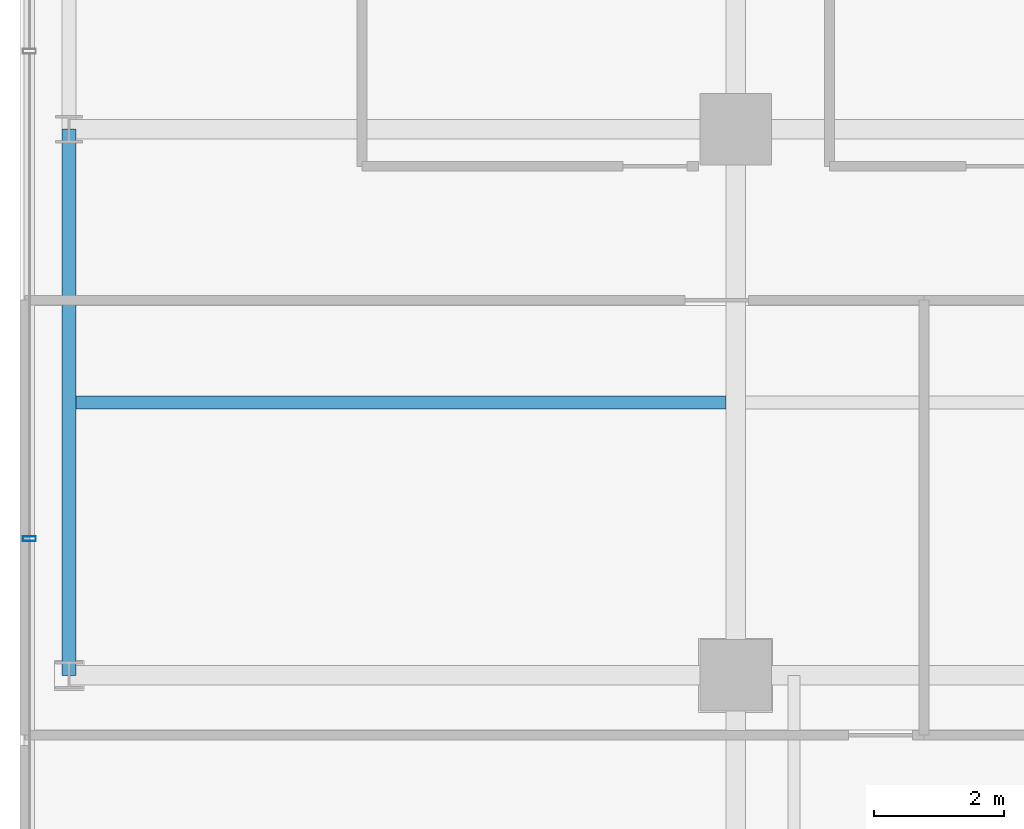
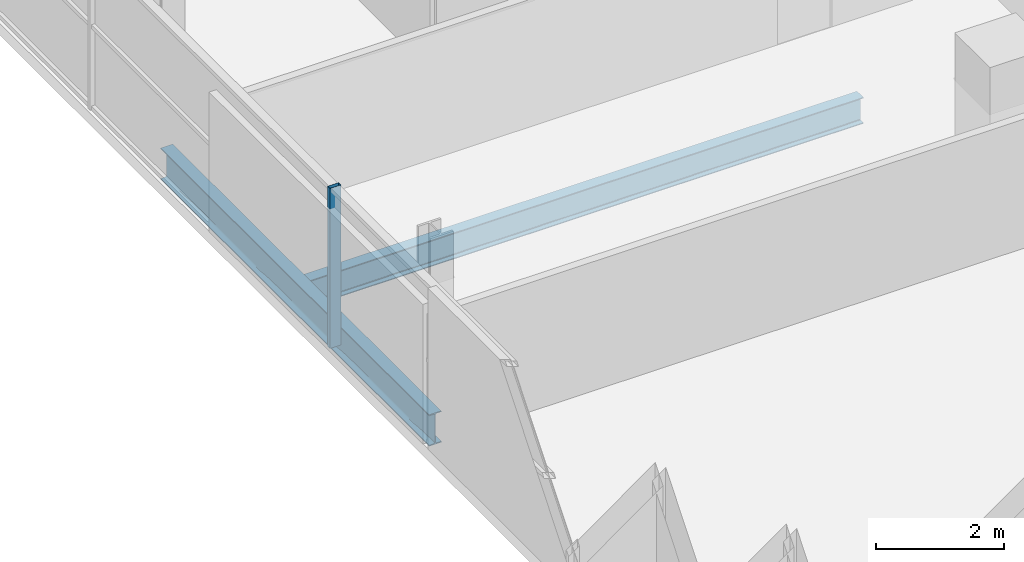
# One storey, part 4 of 29: 2 beams, 1 member, 1 element without a shape of its own.
"""IFC4 building model written with IfcOpenShell, lengths in metres."""

import ifcopenshell
import ifcopenshell.guid

model = None  # the IFC model being written
_history = None  # IfcOwnerHistory: only IFC2X3 demands one
_inside = {}  # id of a spatial element -> (the spatial element, [elements in it])
_under = {}  # id of a project, library or spatial element -> (it, [spatial elements below it])
_declared = {}  # id of a project -> (the project, [libraries it declares])
_typed = {}  # id of a type object -> (the type object, [elements of that type])
_made_of = {}  # id of a material, layer set ... -> (it, [elements and type objects made of it])


def new_model(schema):
    """Start an empty IFC model of exactly this schema.

    Asked for "IFC4X3", IfcOpenShell would pick the latest addendum, in which some entities
    have other attributes; the version numbers below select the first issue.
    IFC2X3 requires an IfcOwnerHistory on every rooted entity: one is made here for all.
    """
    global model, _history
    if schema == "IFC4X3":
        model = ifcopenshell.file(schema_version=(4, 3, 0, 0))
    else:
        model = ifcopenshell.file(schema=schema)
    _inside.clear()
    _under.clear()
    _declared.clear()
    _typed.clear()
    _made_of.clear()
    _history = None
    if model.schema == "IFC2X3":
        org = make("IfcOrganization", Name="unknown")
        user = make(
            "IfcPersonAndOrganization",
            ThePerson=make("IfcPerson", FamilyName="unknown"),
            TheOrganization=org,
        )
        app = make(
            "IfcApplication",
            ApplicationDeveloper=org,
            Version="unknown",
            ApplicationFullName="unknown",
            ApplicationIdentifier="unknown",
        )
        _history = make(
            "IfcOwnerHistory",
            OwningUser=user,
            OwningApplication=app,
            ChangeAction="ADDED",
            CreationDate=0,
        )
    return model


def make(cls, **values):
    """One entity of the class cls with the attributes given. An attribute that is None is left unset."""
    return model.create_entity(
        cls, **{name: value for name, value in values.items() if value is not None}
    )


def rooted(cls, **values):
    """An entity with a GlobalId (a new one), such as an element, a storey or a relation."""
    return make(cls, GlobalId=ifcopenshell.guid.new(), OwnerHistory=_history, **values)


def si_unit(unit_type, name, prefix=None):
    """IfcSIUnit, for example si_unit("LENGTHUNIT", "METRE", prefix="MILLI")."""
    return make("IfcSIUnit", UnitType=unit_type, Prefix=prefix, Name=name)


def assignment(units):
    """IfcUnitAssignment: the units of a project."""
    return None if units is None else make("IfcUnitAssignment", Units=units)


def point(xyz):
    """IfcCartesianPoint."""
    return None if xyz is None else make("IfcCartesianPoint", Coordinates=xyz)


def direction(xyz):
    """IfcDirection."""
    return None if xyz is None else make("IfcDirection", DirectionRatios=xyz)


def frame(location, z_axis=None, x_axis=None):
    """IfcAxis2Placement3D, a coordinate frame: its origin and axes. An axis left out is left unset."""
    return make(
        "IfcAxis2Placement3D",
        Location=point(location),
        Axis=direction(z_axis),
        RefDirection=direction(x_axis),
    )


def frame_2d(location, x_axis=None):
    """IfcAxis2Placement2D, a coordinate frame in the plane: its origin and x axis."""
    return make(
        "IfcAxis2Placement2D", Location=point(location), RefDirection=direction(x_axis)
    )


def origin():
    """The frame at (0, 0, 0) with its axes left unset."""
    return frame((0.0, 0.0, 0.0))


def origin_2d():
    """The frame at (0, 0) in the plane with its x axis left unset."""
    return frame_2d((0.0, 0.0))


def place(relative_to, where):
    """IfcLocalPlacement: puts the frame where relative to a parent placement (None: the world)."""
    return make(
        "IfcLocalPlacement", PlacementRelTo=relative_to, RelativePlacement=where
    )


def context(
    kind, dimensions, precision=None, world=None, true_north=None, identifier=None
):
    """IfcGeometricRepresentationContext, for example the 3D "Model" context."""
    return make(
        "IfcGeometricRepresentationContext",
        ContextIdentifier=identifier,
        ContextType=kind,
        CoordinateSpaceDimension=dimensions,
        Precision=precision,
        WorldCoordinateSystem=world,
        TrueNorth=true_north,
    )


def subcontext(parent, identifier, kind, view, scale=None):
    """IfcGeometricRepresentationSubContext, for example "Body" below "Model"."""
    return make(
        "IfcGeometricRepresentationSubContext",
        ContextIdentifier=identifier,
        ContextType=kind,
        ParentContext=parent,
        TargetScale=scale,
        TargetView=view,
    )


def project(units=None, contexts=None):
    """IfcProject with its units and contexts."""
    return rooted(
        "IfcProject",
        Name="project",
        RepresentationContexts=contexts,
        UnitsInContext=assignment(units),
    )


def spatial(cls, under=None, at=None, **own):
    """A site, building, storey or space (cls), placed at a placement, below another one or the project."""
    s = rooted(cls, ObjectPlacement=at, **own)
    if under is not None:
        _under.setdefault(under.id(), (under, []))[1].append(s)
    return s


def profile(cls, at=None, kind="AREA", **sizes):
    """A parametric profile (cls). Its sizes go by their IFC names, for example OverallWidth=200.0."""
    return make(cls, ProfileType=kind, Position=at, **sizes)


def hollow_rectangle(**sizes):
    """IfcRectangleHollowProfileDef."""
    return profile("IfcRectangleHollowProfileDef", **sizes)


def i_section(**sizes):
    """IfcIShapeProfileDef."""
    return profile("IfcIShapeProfileDef", **sizes)


def extrude(swept, where, along, depth):
    """IfcExtrudedAreaSolid: the profile swept, set in the frame where, extruded along a direction by depth."""
    return make(
        "IfcExtrudedAreaSolid",
        SweptArea=swept,
        Position=where,
        ExtrudedDirection=direction(along),
        Depth=depth,
    )


def shape(context_of_items, identifier, shape_type, items):
    """IfcShapeRepresentation: the items that make up one representation, for example the "Body"."""
    return make(
        "IfcShapeRepresentation",
        ContextOfItems=context_of_items,
        RepresentationIdentifier=identifier,
        RepresentationType=shape_type,
        Items=items,
    )


def source(mapping_origin, context_of_items, identifier, shape_type, items):
    """IfcRepresentationMap: a shape defined once, which mapped items show again and again."""
    return make(
        "IfcRepresentationMap",
        MappingOrigin=mapping_origin,
        MappedRepresentation=shape(context_of_items, identifier, shape_type, items),
    )


def transform(
    local_origin,
    x_axis=None,
    y_axis=None,
    z_axis=None,
    scale=None,
    scale2=None,
    scale3=None,
    uniform=True,
):
    """IfcCartesianTransformationOperator3D, or its non-uniform kind. x_axis, y_axis, z_axis: its Axis1, 2, 3."""
    if uniform:
        return make(
            "IfcCartesianTransformationOperator3D",
            Axis1=direction(x_axis),
            Axis2=direction(y_axis),
            LocalOrigin=point(local_origin),
            Scale=scale,
            Axis3=direction(z_axis),
        )
    return make(
        "IfcCartesianTransformationOperator3DnonUniform",
        Axis1=direction(x_axis),
        Axis2=direction(y_axis),
        LocalOrigin=point(local_origin),
        Scale=scale,
        Axis3=direction(z_axis),
        Scale2=scale2,
        Scale3=scale3,
    )


def mapped(mapping_source, mapping_target):
    """IfcMappedItem: shows the shape of a source again, moved by a transform."""
    return make(
        "IfcMappedItem", MappingSource=mapping_source, MappingTarget=mapping_target
    )


def material(Name=None, Category=None):
    """IfcMaterial."""
    return make("IfcMaterial", Name=Name, Category=Category)


def layer(
    of_material, thickness, ventilated=None, Name=None, Category=None, Priority=None
):
    """IfcMaterialLayer: one layer of a wall or slab, of a material (None: an air gap)."""
    return make(
        "IfcMaterialLayer",
        Material=of_material,
        LayerThickness=thickness,
        IsVentilated=ventilated,
        Name=Name,
        Category=Category,
        Priority=Priority,
    )


def layer_set(layers, Name=None):
    """IfcMaterialLayerSet."""
    return make("IfcMaterialLayerSet", MaterialLayers=layers, LayerSetName=Name)


def material_profile(
    of_material, cross_section, Name=None, Category=None, Priority=None
):
    """IfcMaterialProfile: a cross section and its material."""
    return make(
        "IfcMaterialProfile",
        Name=Name,
        Material=of_material,
        Profile=cross_section,
        Priority=Priority,
        Category=Category,
    )


def profile_set(profiles, Name=None, composite=None):
    """IfcMaterialProfileSet."""
    return make(
        "IfcMaterialProfileSet",
        Name=Name,
        MaterialProfiles=profiles,
        CompositeProfile=composite,
    )


def made_of(thing, what):
    """Note that an element or type object is made of a material, layer set ...; save() writes the relation."""
    if what is not None:
        _made_of.setdefault(what.id(), (what, []))[1].append(thing)
    return thing


def type_object(cls, material=None, **own):
    """A type object (cls), such as IfcWallType, which elements share."""
    return made_of(rooted(cls, **own), material)


def element(
    cls,
    number,
    at=None,
    inside=None,
    cuts=None,
    type_object=None,
    material=None,
    context=None,
    identifier="Body",
    shape_type=None,
    held_by="IfcProductDefinitionShape",
    body=None,
    shapes=None,
    **own,
):
    """One element of the class cls, such as IfcWall. Its Tag is "e" and its number.

    at: its placement. inside: the storey or other place that contains it. cuts: it is an
    opening in that element (IfcRelVoidsElement). A single representation is given by context,
    identifier, shape_type and body (its items); several are given by shapes. held_by: the class
    of the entity that holds the representations. save() writes the other relations.
    """
    e = rooted(cls, Tag="e%d" % number, ObjectPlacement=at, **own)
    if body is not None:
        shapes = [shape(context, identifier, shape_type, body)]
    if shapes is not None:
        e.Representation = make(held_by, Representations=shapes)
    if inside is not None:
        _inside.setdefault(inside.id(), (inside, []))[1].append(e)
    if cuts is not None:
        rooted(
            "IfcRelVoidsElement", RelatingBuildingElement=cuts, RelatedOpeningElement=e
        )
    if type_object is not None:
        _typed.setdefault(type_object.id(), (type_object, []))[1].append(e)
    return made_of(e, material)


def aggregate(whole, parts):
    """IfcRelAggregates: a whole, such as a stair, and the parts it consists of."""
    return rooted("IfcRelAggregates", RelatingObject=whole, RelatedObjects=parts)


def save(model, path):
    """Write the relations noted so far, then the file.

    IfcRelAggregates (storeys below a building ...), IfcRelContainedInSpatialStructure (elements
    in a storey), IfcRelDefinesByType, IfcRelAssociatesMaterial and IfcRelDeclares: one each for
    every whole, place, type object, material and project.
    """
    for whole, parts in _under.values():
        aggregate(whole, parts)
    for where, things in _inside.values():
        rooted(
            "IfcRelContainedInSpatialStructure",
            RelatedElements=things,
            RelatingStructure=where,
        )
    for kind, things in _typed.values():
        rooted("IfcRelDefinesByType", RelatedObjects=things, RelatingType=kind)
    for what, things in _made_of.values():
        rooted("IfcRelAssociatesMaterial", RelatedObjects=things, RelatingMaterial=what)
    for by, libraries in _declared.values():
        rooted("IfcRelDeclares", RelatingContext=by, RelatedDefinitions=libraries)
    model.write(path)


model = new_model("IFC4")

# Units and contexts
model_context = context("Model", 3, precision=1e-05, world=origin(), true_north=direction((0.0, 1.0)))
body_context = subcontext(model_context, "Body", "Model", "MODEL_VIEW")
ifc_project = project(units=[si_unit("LENGTHUNIT", "METRE"), si_unit("AREAUNIT", "SQUARE_METRE"), si_unit("VOLUMEUNIT", "CUBIC_METRE"), si_unit("PLANEANGLEUNIT", "RADIAN"), si_unit("MASSUNIT", "GRAM", prefix="KILO")], contexts=[model_context])

# Site, building, storey
site_placement = place(None, origin())
site = spatial("IfcSite", under=ifc_project, at=site_placement, CompositionType="ELEMENT")
building_placement = place(site_placement, origin())
building = spatial("IfcBuilding", under=site, at=building_placement, Name="Zarnakvel Exchange Tower", CompositionType="ELEMENT")
storey_placement = place(building_placement, frame((0.0, 0.0, 37.300048828125)))
storey = spatial("IfcBuildingStorey", under=building, at=storey_placement, Name="L09", CompositionType="ELEMENT", Elevation=37.300048828125)

# Beams
ifc_material_1 = material(Name="Steel S355", Category="steel")
ifc_material_profile_1 = material_profile(ifc_material_1, i_section(OverallWidth=0.199951171875, OverallDepth=0.5, WebThickness=0.01025390625, FlangeThickness=0.01611328125, FilletRadius=0.02099609375, at=origin_2d()))
ifc_profile_set_1 = profile_set([ifc_material_profile_1], Name="Steel S355")
beam_type_1 = type_object("IfcBeamType", Name="B-04", PredefinedType="JOIST", material=ifc_profile_set_1)
beam_1_placement = place(storey_placement, frame((-31.85009765625, -5.39990234375, -0.47509765625), z_axis=(1.0, 0.0, 0.0), x_axis=(0.0, 1.0, 0.0)))
element("IfcBeam", 1, at=beam_1_placement, inside=storey, type_object=beam_type_1, Name="L09 Composite Floor Secondary Joist", PredefinedType="JOIST", context=body_context, shape_type="SweptSolid", body=[
    extrude(i_section(OverallWidth=0.199951171875, OverallDepth=0.5, WebThickness=0.01025390625, FlangeThickness=0.01611328125, FilletRadius=0.02099609375, at=origin_2d()), origin(), (0.0, 0.0, 1.0), 10.10009765625),
])
ifc_material_profile_2 = material_profile(ifc_material_1, i_section(OverallWidth=0.219970703125, OverallDepth=0.60009765625, WebThickness=0.011962890625, FlangeThickness=0.01904296875, FilletRadius=0.02392578125, at=origin_2d()))
ifc_profile_set_2 = profile_set([ifc_material_profile_2], Name="Steel S355")
beam_type_2 = type_object("IfcBeamType", Name="SP-01", PredefinedType="SPANDREL", material=ifc_profile_set_2)
beam_2_placement = place(storey_placement, frame((-31.85009765625, -9.60009765625, -0.525146484375), z_axis=(0.0, 1.0, 0.0), x_axis=(-1.0, 0.0, 0.0)))
element("IfcBeam", 2, at=beam_2_placement, inside=storey, type_object=beam_type_2, Name="L09 Tower N-S Frame Beam", PredefinedType="SPANDREL", context=body_context, shape_type="SweptSolid", body=[
    extrude(i_section(OverallWidth=0.219970703125, OverallDepth=0.60009765625, WebThickness=0.011962890625, FlangeThickness=0.01904296875, FilletRadius=0.02392578125, at=origin_2d()), origin(), (0.0, 0.0, 1.0), 8.400146484375),
])

# Curtain wall, member
ifc_material_2 = material(Name="Architectural Bronze Anodised Aluminium", Category="aluminium")
ifc_layer = layer(ifc_material_2, 0.199951171875)
ifc_layer_set = layer_set([ifc_layer], Name="Architectural Bronze Anodised Aluminium")
curtain_wall_type = type_object("IfcCurtainWallType", Name="CW-04", PredefinedType="NOTDEFINED", material=ifc_layer_set)
curtain_wall_placement = place(storey_placement, origin())
curtain_wall = element("IfcCurtainWall", 3, at=curtain_wall_placement, inside=storey, type_object=curtain_wall_type, Name="L09 Curtain Wall CW-L09-W1 (CW-04)", PredefinedType="NOTDEFINED")
ifc_material_profile_3 = material_profile(ifc_material_2, hollow_rectangle(XDim=0.199951171875, YDim=0.074951171875, WallThickness=0.0048828125, at=origin_2d()))
ifc_profile_set_3 = profile_set([ifc_material_profile_3], Name="Architectural Bronze Anodised Aluminium")
member_type = type_object("IfcMemberType", Name="CWM-04", PredefinedType="MULLION", material=ifc_profile_set_3)
shared_shape = source(origin(), body_context, "Body", "SweptSolid", [
    extrude(hollow_rectangle(XDim=0.199951171875, YDim=0.074951171875, WallThickness=0.0048828125, at=origin_2d()), origin(), (0.0, 0.0, 1.0), 3.054931640625),
])
member_placement = place(storey_placement, frame((-32.4599609375, -7.5, 0.0), z_axis=(0.0, 0.0, 1.0), x_axis=(-1.0, 0.0, 0.0)))
member = element("IfcMember", 4, at=member_placement, type_object=member_type, Name="CW-04 mullion 2", PredefinedType="MULLION", context=body_context, shape_type="MappedRepresentation", body=[
    mapped(shared_shape, transform((0.0, 0.0, 0.0), x_axis=(1.0, 0.0, 0.0), y_axis=(0.0, 1.0, 0.0), z_axis=(0.0, 0.0, 1.0), scale=1.0)),
])
aggregate(curtain_wall, [member])

save(model, "model.ifc")
